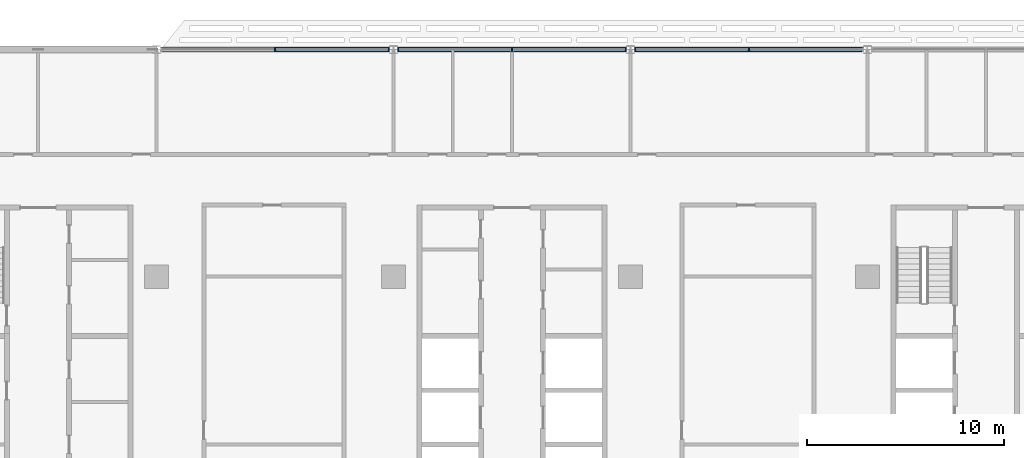
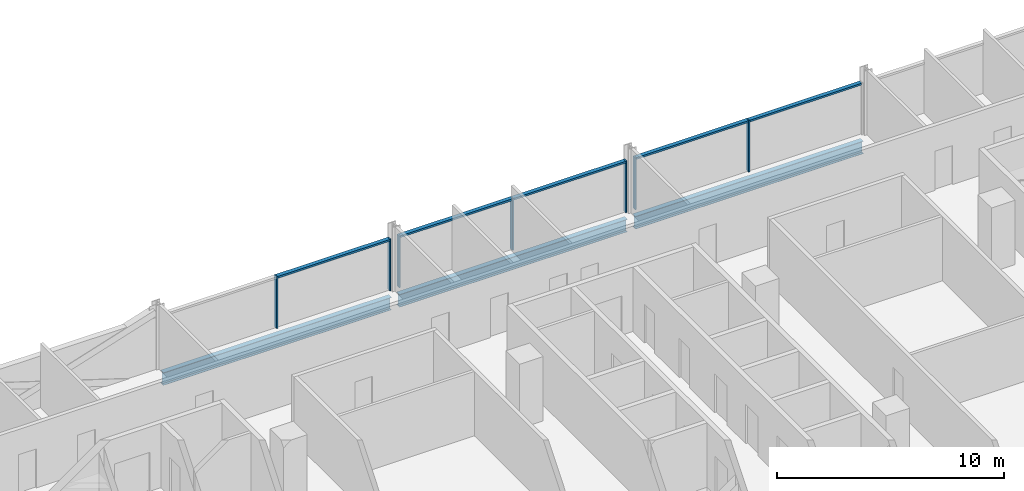
# One storey, part 7 of 27: 12 members, 3 beams, 3 elements without a shape of their own.
"""IFC4 building model written with IfcOpenShell, lengths in metres."""

from ifc_helpers import new_model, si_unit, direction, frame, origin, origin_2d, place, context, subcontext, project, spatial, rectangle, i_section, extrude, material, material_profile, profile_set, type_object, element, aggregate, save


model = new_model("IFC4")

# Units and contexts
model_context = context("Model", 3, precision=1e-05, world=origin(), true_north=direction((0.0, 1.0)))
body_context = subcontext(model_context, "Body", "Model", "MODEL_VIEW")
ifc_project = project(units=[si_unit("LENGTHUNIT", "METRE"), si_unit("AREAUNIT", "SQUARE_METRE"), si_unit("VOLUMEUNIT", "CUBIC_METRE"), si_unit("PLANEANGLEUNIT", "RADIAN"), si_unit("MASSUNIT", "GRAM", prefix="KILO")], contexts=[model_context])

# Site, building, storey
site_placement = place(None, origin())
site = spatial("IfcSite", under=ifc_project, at=site_placement, CompositionType="ELEMENT")
building_placement = place(site_placement, origin())
building = spatial("IfcBuilding", under=site, at=building_placement, Name="Mahtab Terrace Research Tower", CompositionType="ELEMENT")
storey_placement = place(building_placement, frame((0.0, 0.0, 163.0)))
storey = spatial("IfcBuildingStorey", under=building, at=storey_placement, Name="L38", CompositionType="ELEMENT", Elevation=163.0)

# Curtain wall, members
ifc_material_1 = material(Name="Laboratory ribbon curtain wall")
curtain_wall_type = type_object("IfcCurtainWallType", Name="Laboratory ribbon curtain wall", PredefinedType="NOTDEFINED", material=ifc_material_1)
curtain_wall_1_placement = place(storey_placement, origin())
curtain_wall_1 = element("IfcCurtainWall", 1, at=curtain_wall_1_placement, inside=storey, type_object=curtain_wall_type, Name="EN.L38.3.5", PredefinedType="NOTDEFINED")
ifc_material_2 = material(Name="Natural anodised aluminium", Category="aluminium")
ifc_material_profile_1 = material_profile(ifc_material_2, rectangle(XDim=0.199951171875, YDim=0.06494140625, at=origin_2d()), Name="MULLION 65x200")
ifc_profile_set_1 = profile_set([ifc_material_profile_1], Name="Natural anodised aluminium")
member_type_1 = type_object("IfcMemberType", Name="Laboratory ribbon curtain wall mullion", PredefinedType="MULLION", material=ifc_profile_set_1)
member_1_placement = place(storey_placement, frame((12.0, 23.0, 0.0), z_axis=(0.0, 0.0, 1.0), x_axis=(0.0, -1.0, 0.0)))
member_1 = element("IfcMember", 2, at=member_1_placement, type_object=member_type_1, Name="CWL-5 mullion 2", PredefinedType="MULLION", context=body_context, shape_type="SweptSolid", body=[
    extrude(rectangle(XDim=0.199951171875, YDim=0.06494140625, at=origin_2d()), origin(), (0.0, 0.0, 1.0), 2.78173828125),
])
member_2_placement = place(storey_placement, frame((6.240478515625, 23.0, 0.0), z_axis=(0.0, 0.0, 1.0), x_axis=(0.0, -1.0, 0.0)))
member_2 = element("IfcMember", 3, at=member_2_placement, type_object=member_type_1, Name="CWL-5 mullion 3", PredefinedType="MULLION", context=body_context, shape_type="SweptSolid", body=[
    extrude(rectangle(XDim=0.199951171875, YDim=0.06494140625, at=origin_2d()), origin(), (0.0, 0.0, 1.0), 2.78173828125),
])

curtain_wall_2_placement = place(storey_placement, origin())
curtain_wall_2 = element("IfcCurtainWall", 4, at=curtain_wall_2_placement, inside=storey, type_object=curtain_wall_type, Name="EN.L38.3.6", PredefinedType="NOTDEFINED")
member_3_placement = place(storey_placement, frame((5.759521484375, 23.0, 0.0), z_axis=(0.0, 0.0, 1.0), x_axis=(0.0, -1.0, 0.0)))
member_3 = element("IfcMember", 5, at=member_3_placement, type_object=member_type_1, Name="CWL-5 mullion 1", PredefinedType="MULLION", context=body_context, shape_type="SweptSolid", body=[
    extrude(rectangle(XDim=0.199951171875, YDim=0.06494140625, at=origin_2d()), origin(), (0.0, 0.0, 1.0), 2.78173828125),
])
member_4_placement = place(storey_placement, frame((0.0, 23.0, 0.0), z_axis=(0.0, 0.0, 1.0), x_axis=(0.0, -1.0, 0.0)))
member_4 = element("IfcMember", 6, at=member_4_placement, type_object=member_type_1, Name="CWL-5 mullion 2", PredefinedType="MULLION", context=body_context, shape_type="SweptSolid", body=[
    extrude(rectangle(XDim=0.199951171875, YDim=0.06494140625, at=origin_2d()), origin(), (0.0, 0.0, 1.0), 2.78173828125),
])
member_5_placement = place(storey_placement, frame((-5.759521484375, 23.0, 0.0), z_axis=(0.0, 0.0, 1.0), x_axis=(0.0, -1.0, 0.0)))
member_5 = element("IfcMember", 7, at=member_5_placement, type_object=member_type_1, Name="CWL-5 mullion 3", PredefinedType="MULLION", context=body_context, shape_type="SweptSolid", body=[
    extrude(rectangle(XDim=0.199951171875, YDim=0.06494140625, at=origin_2d()), origin(), (0.0, 0.0, 1.0), 2.78173828125),
])

curtain_wall_3_placement = place(storey_placement, origin())
curtain_wall_3 = element("IfcCurtainWall", 8, at=curtain_wall_3_placement, inside=storey, type_object=curtain_wall_type, Name="EN.L38.3.7", PredefinedType="NOTDEFINED")
member_6_placement = place(storey_placement, frame((-6.240478515625, 23.0, 0.0), z_axis=(0.0, 0.0, 1.0), x_axis=(0.0, -1.0, 0.0)))
member_6 = element("IfcMember", 9, at=member_6_placement, type_object=member_type_1, Name="CWL-5 mullion 1", PredefinedType="MULLION", context=body_context, shape_type="SweptSolid", body=[
    extrude(rectangle(XDim=0.199951171875, YDim=0.06494140625, at=origin_2d()), origin(), (0.0, 0.0, 1.0), 2.78173828125),
])
member_7_placement = place(storey_placement, frame((-12.0, 23.0, 0.0), z_axis=(0.0, 0.0, 1.0), x_axis=(0.0, -1.0, 0.0)))
member_7 = element("IfcMember", 10, at=member_7_placement, type_object=member_type_1, Name="CWL-5 mullion 2", PredefinedType="MULLION", context=body_context, shape_type="SweptSolid", body=[
    extrude(rectangle(XDim=0.199951171875, YDim=0.06494140625, at=origin_2d()), origin(), (0.0, 0.0, 1.0), 2.78173828125),
])

# Member
ifc_material_profile_2 = material_profile(ifc_material_2, rectangle(XDim=0.199951171875, YDim=0.10009765625, at=origin_2d()), Name="TRANSOM 100x200")
ifc_profile_set_2 = profile_set([ifc_material_profile_2], Name="Natural anodised aluminium")
member_type_2 = type_object("IfcMemberType", Name="Laboratory ribbon curtain wall transom", PredefinedType="USERDEFINED", material=ifc_profile_set_2)
member_8_placement = place(storey_placement, frame((17.72705078125, 23.0, 2.731689453125), z_axis=(-1.0, 0.0, 0.0), x_axis=(0.0, -1.0, 0.0)))
member_8 = element("IfcMember", 11, at=member_8_placement, type_object=member_type_2, Name="CWL-5 transom 1", ObjectType="TRANSOM", PredefinedType="USERDEFINED", context=body_context, shape_type="SweptSolid", body=[
    extrude(rectangle(XDim=0.199951171875, YDim=0.10009765625, at=origin_2d()), origin(), (0.0, 0.0, 1.0), 5.694580078125),
])

member_9_placement = place(storey_placement, frame((11.967529296875, 23.0, 2.731689453125), z_axis=(-1.0, 0.0, 0.0), x_axis=(0.0, -1.0, 0.0)))
member_9 = element("IfcMember", 12, at=member_9_placement, type_object=member_type_2, Name="CWL-5 transom 2", ObjectType="TRANSOM", PredefinedType="USERDEFINED", context=body_context, shape_type="SweptSolid", body=[
    extrude(rectangle(XDim=0.199951171875, YDim=0.10009765625, at=origin_2d()), origin(), (0.0, 0.0, 1.0), 5.694580078125),
])

aggregate(curtain_wall_1, [member_1, member_2, member_8, member_9])

member_10_placement = place(storey_placement, frame((5.72705078125, 23.0, 2.731689453125), z_axis=(-1.0, 0.0, 0.0), x_axis=(0.0, -1.0, 0.0)))
member_10 = element("IfcMember", 13, at=member_10_placement, type_object=member_type_2, Name="CWL-5 transom 1", ObjectType="TRANSOM", PredefinedType="USERDEFINED", context=body_context, shape_type="SweptSolid", body=[
    extrude(rectangle(XDim=0.199951171875, YDim=0.10009765625, at=origin_2d()), origin(), (0.0, 0.0, 1.0), 5.694580078125),
])

member_11_placement = place(storey_placement, frame((-0.032470703125, 23.0, 2.731689453125), z_axis=(-1.0, 0.0, 0.0), x_axis=(0.0, -1.0, 0.0)))
member_11 = element("IfcMember", 14, at=member_11_placement, type_object=member_type_2, Name="CWL-5 transom 2", ObjectType="TRANSOM", PredefinedType="USERDEFINED", context=body_context, shape_type="SweptSolid", body=[
    extrude(rectangle(XDim=0.199951171875, YDim=0.10009765625, at=origin_2d()), origin(), (0.0, 0.0, 1.0), 5.694580078125),
])

aggregate(curtain_wall_2, [member_3, member_4, member_5, member_10, member_11])

member_12_placement = place(storey_placement, frame((-6.27294921875, 23.0, 2.731689453125), z_axis=(-1.0, 0.0, 0.0), x_axis=(0.0, -1.0, 0.0)))
member_12 = element("IfcMember", 15, at=member_12_placement, type_object=member_type_2, Name="CWL-5 transom 1", ObjectType="TRANSOM", PredefinedType="USERDEFINED", context=body_context, shape_type="SweptSolid", body=[
    extrude(rectangle(XDim=0.199951171875, YDim=0.10009765625, at=origin_2d()), origin(), (0.0, 0.0, 1.0), 5.694580078125),
])

aggregate(curtain_wall_3, [member_6, member_7, member_12])

# Beams
ifc_material_3 = material(Name="Steel ASTM A992 Gr 50", Category="steel")
ifc_material_profile_3 = material_profile(ifc_material_3, i_section(OverallWidth=0.25390625, OverallDepth=0.67822265625, WebThickness=0.01171875, FlangeThickness=0.016357421875, at=origin_2d()), Name="W27X84")
ifc_profile_set_3 = profile_set([ifc_material_profile_3], Name="Steel ASTM A992 Gr 50")
beam_type = type_object("IfcBeamType", Name="W27x84 beam BS2784", PredefinedType="BEAM", material=ifc_profile_set_3)
for number, where, z_axis, x_axis, name in (
    (16, (17.796875, 23.0, -0.67919921875), (-1.0, 0.0, 0.0), (0.0, -1.0, 0.0), "Spandrel beam L38 03"),
    (17, (5.796875, 23.0, -0.67919921875), (-1.0, 0.0, 0.0), (0.0, -1.0, 0.0), "Spandrel beam L38 04"),
    (18, (-6.203125, 23.0, -0.67919921875), (-1.0, 0.0, 0.0), (0.0, -1.0, 0.0), "Spandrel beam L38 05"),
):
    element("IfcBeam", number, at=place(storey_placement, frame(where, z_axis=z_axis, x_axis=x_axis)), inside=storey, type_object=beam_type, Name=name, PredefinedType="BEAM", context=body_context, shape_type="SweptSolid", body=[
        extrude(i_section(OverallWidth=0.25390625, OverallDepth=0.67822265625, WebThickness=0.01171875, FlangeThickness=0.016357421875, at=origin_2d()), origin(), (0.0, 0.0, 1.0), 11.59375),
    ])

save(model, "model.ifc")
